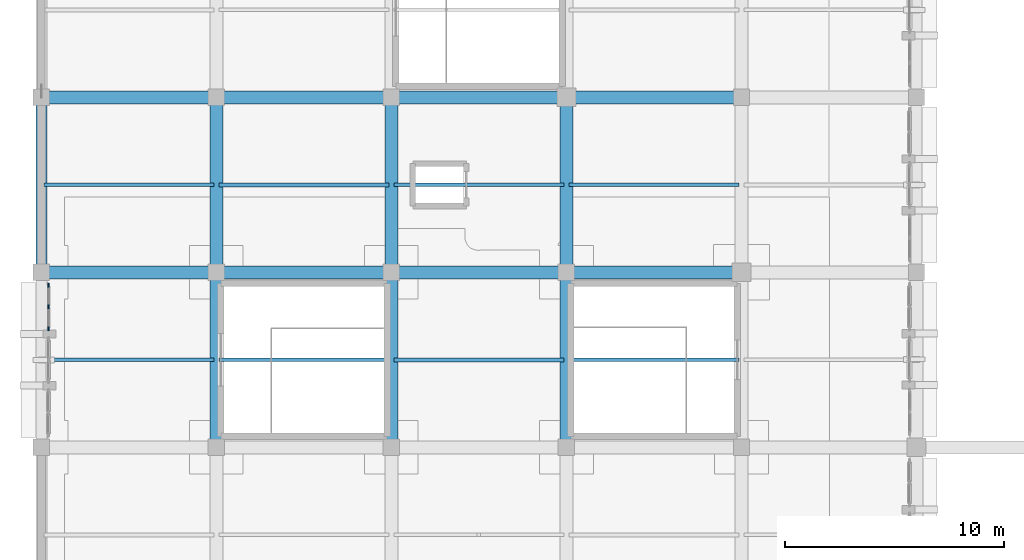
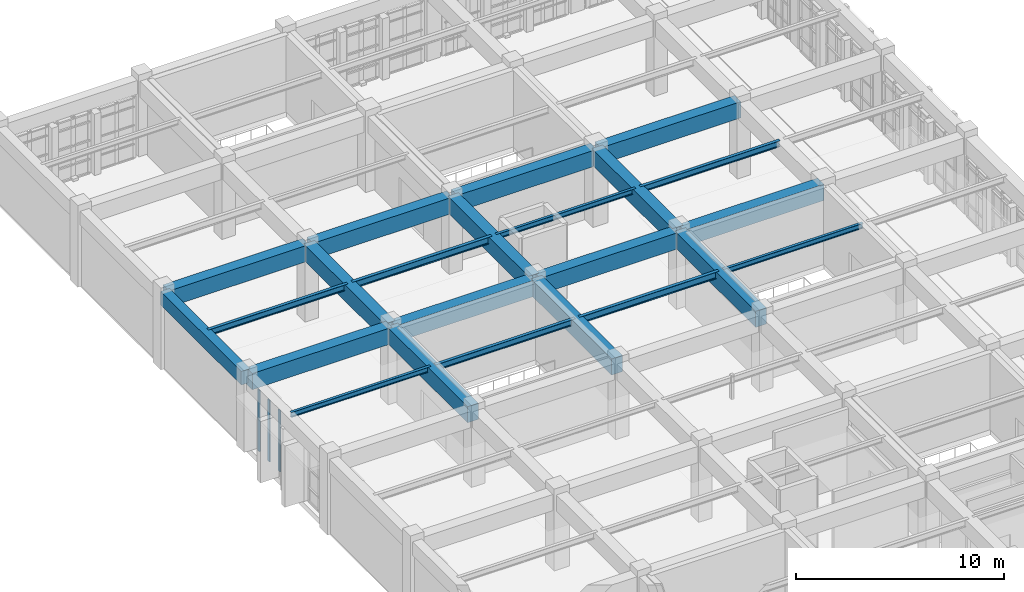
# One storey, part 23 of 155: 23 beams, 3 members, 1 element without a shape of its own.
"""IFC4 building model written with IfcOpenShell, lengths in metres."""

from ifc_helpers import new_model, si_unit, direction, frame, origin, origin_2d, place, context, subcontext, project, spatial, rectangle, i_section, extrude, material, layer, layer_set, material_profile, profile_set, type_object, element, aggregate, save


model = new_model("IFC4")

# Units and contexts
model_context = context("Model", 3, precision=1e-05, world=origin(), true_north=direction((0.0, 1.0)))
body_context = subcontext(model_context, "Body", "Model", "MODEL_VIEW")
ifc_project = project(units=[si_unit("LENGTHUNIT", "METRE"), si_unit("AREAUNIT", "SQUARE_METRE"), si_unit("VOLUMEUNIT", "CUBIC_METRE"), si_unit("PLANEANGLEUNIT", "RADIAN"), si_unit("MASSUNIT", "GRAM", prefix="KILO")], contexts=[model_context])

# Site, building, storey
site_placement = place(None, origin())
site = spatial("IfcSite", under=ifc_project, at=site_placement, CompositionType="ELEMENT")
building_placement = place(site_placement, origin())
building = spatial("IfcBuilding", under=site, at=building_placement, Name="Tazarka Park Arena", CompositionType="ELEMENT")
storey_placement = place(building_placement, frame((0.0, 0.0, 5.39990234375)))
storey = spatial("IfcBuildingStorey", under=building, at=storey_placement, Name="L01", CompositionType="ELEMENT", Elevation=5.39990234375)

# Beams
ifc_material_1 = material(Name="Concrete C40/50", Category="concrete")
ifc_material_profile_1 = material_profile(ifc_material_1, rectangle(XDim=0.60009765625, YDim=0.949951171875, at=origin_2d()), Name="Concrete C40/50")
ifc_profile_set_1 = profile_set([ifc_material_profile_1], Name="Concrete C40/50")
beam_type_1 = type_object("IfcBeamType", Name="BM-B-03", PredefinedType="BEAM", material=ifc_profile_set_1)
for number, where, z_axis, x_axis, name in (
    (1, (0.1201171875, 88.0, 3.945068359375), (1.0, 0.0, 0.0), (0.0, 1.0, 0.0), "GXM-L01-00-11"),
    (2, (0.1201171875, 96.0, 3.945068359375), (1.0, 0.0, 0.0), (0.0, 1.0, 0.0), "GXM-L01-00-12"),
    (3, (8.0, 80.1201171875, 3.945068359375), (0.0, 1.0, 0.0), (-1.0, 0.0, 0.0), "GYM-L01-01-10"),
    (4, (8.1201171875, 88.0, 3.945068359375), (1.0, 0.0, 0.0), (0.0, 1.0, 0.0), "GXM-L01-01-11"),
    (5, (8.0, 88.1201171875, 3.945068359375), (0.0, 1.0, 0.0), (-1.0, 0.0, 0.0), "GYM-L01-01-11"),
    (6, (8.1201171875, 96.0, 3.945068359375), (1.0, 0.0, 0.0), (0.0, 1.0, 0.0), "GXM-L01-01-12"),
    (7, (16.0, 80.1201171875, 3.945068359375), (0.0, 1.0, 0.0), (-1.0, 0.0, 0.0), "GYM-L01-02-10"),
    (8, (16.1201171875, 88.0, 3.945068359375), (1.0, 0.0, 0.0), (0.0, 1.0, 0.0), "GXM-L01-02-11"),
    (9, (16.0, 88.1201171875, 3.945068359375), (0.0, 1.0, 0.0), (-1.0, 0.0, 0.0), "GYM-L01-02-11"),
    (10, (16.1201171875, 96.0, 3.945068359375), (1.0, 0.0, 0.0), (0.0, 1.0, 0.0), "GXM-L01-02-12"),
    (11, (24.0, 80.1201171875, 3.945068359375), (0.0, 1.0, 0.0), (-1.0, 0.0, 0.0), "GYM-L01-03-10"),
    (12, (24.1201171875, 88.0, 3.945068359375), (1.0, 0.0, 0.0), (0.0, 1.0, 0.0), "GXM-L01-03-11"),
    (13, (24.0, 88.1201171875, 3.945068359375), (0.0, 1.0, 0.0), (-1.0, 0.0, 0.0), "GYM-L01-03-11"),
    (14, (24.1201171875, 96.0, 3.945068359375), (1.0, 0.0, 0.0), (0.0, 1.0, 0.0), "GXM-L01-03-12"),
):
    element("IfcBeam", number, at=place(storey_placement, frame(where, z_axis=z_axis, x_axis=x_axis)), inside=storey, type_object=beam_type_1, Name=name, PredefinedType="BEAM", context=body_context, shape_type="SweptSolid", body=[
        extrude(rectangle(XDim=0.60009765625, YDim=0.949951171875, at=origin_2d()), origin(), (0.0, 0.0, 1.0), 7.759765625),
    ])
ifc_material_2 = material(Name="Steel S355", Category="steel")
ifc_material_profile_2 = material_profile(ifc_material_2, i_section(OverallWidth=0.14990234375, OverallDepth=0.300048828125, WebThickness=0.007080078125, FlangeThickness=0.0107421875, FilletRadius=0.014892578125, at=origin_2d()), Name="Steel S355")
ifc_profile_set_2 = profile_set([ifc_material_profile_2], Name="Steel S355")
beam_type_2 = type_object("IfcBeamType", Name="BM-J-01", PredefinedType="JOIST", material=ifc_profile_set_2)
for number, where, z_axis, x_axis, name in (
    (15, (0.1201171875, 84.0, 4.27001953125), (1.0, 0.0, 0.0), (0.0, 1.0, 0.0), "JST-L01-00-10"),
    (16, (16.1201171875, 92.0, 4.27001953125), (1.0, 0.0, 0.0), (0.0, 1.0, 0.0), "JST-L01-02-11"),
    (17, (24.1201171875, 84.0, 4.27001953125), (1.0, 0.0, 0.0), (0.0, 1.0, 0.0), "JST-L01-03-10"),
):
    element("IfcBeam", number, at=place(storey_placement, frame(where, z_axis=z_axis, x_axis=x_axis)), inside=storey, type_object=beam_type_2, Name=name, PredefinedType="JOIST", context=body_context, shape_type="SweptSolid", body=[
        extrude(i_section(OverallWidth=0.14990234375, OverallDepth=0.300048828125, WebThickness=0.007080078125, FlangeThickness=0.0107421875, FilletRadius=0.014892578125, at=origin_2d()), origin(), (0.0, 0.0, 1.0), 7.759765625),
    ])
ifc_material_3 = material(Name="Steel S355", Category="steel")
ifc_material_profile_3 = material_profile(ifc_material_3, i_section(OverallWidth=0.169921875, OverallDepth=0.360107421875, WebThickness=0.008056640625, FlangeThickness=0.0126953125, FilletRadius=0.01806640625, at=origin_2d()), Name="Steel S355")
ifc_profile_set_3 = profile_set([ifc_material_profile_3], Name="Steel S355")
beam_type_3 = type_object("IfcBeamType", Name="BM-J-02", PredefinedType="JOIST", material=ifc_profile_set_3)
for number, where, z_axis, x_axis, name in (
    (18, (0.1201171875, 92.0, 4.239990234375), (1.0, 0.0, 0.0), (0.0, 1.0, 0.0), "JST-L01-00-11"),
    (19, (8.1201171875, 84.0, 4.239990234375), (1.0, 0.0, 0.0), (0.0, 1.0, 0.0), "JST-L01-01-10"),
    (20, (24.1201171875, 92.0, 4.239990234375), (1.0, 0.0, 0.0), (0.0, 1.0, 0.0), "JST-L01-03-11"),
):
    element("IfcBeam", number, at=place(storey_placement, frame(where, z_axis=z_axis, x_axis=x_axis)), inside=storey, type_object=beam_type_3, Name=name, PredefinedType="JOIST", context=body_context, shape_type="SweptSolid", body=[
        extrude(i_section(OverallWidth=0.169921875, OverallDepth=0.360107421875, WebThickness=0.008056640625, FlangeThickness=0.0126953125, FilletRadius=0.01806640625, at=origin_2d()), origin(), (0.0, 0.0, 1.0), 7.759765625),
    ])
ifc_material_4 = material(Name="Steel S355", Category="steel")
ifc_material_profile_4 = material_profile(ifc_material_4, i_section(OverallWidth=0.179931640625, OverallDepth=0.39990234375, WebThickness=0.008544921875, FlangeThickness=0.013427734375, FilletRadius=0.02099609375, at=origin_2d()), Name="Steel S355")
ifc_profile_set_4 = profile_set([ifc_material_profile_4], Name="Steel S355")
beam_type_4 = type_object("IfcBeamType", Name="BM-J-03", PredefinedType="JOIST", material=ifc_profile_set_4)
for number, where, z_axis, x_axis, name in (
    (21, (8.1201171875, 92.0, 4.22021484375), (1.0, 0.0, 0.0), (0.0, 1.0, 0.0), "JST-L01-01-11"),
    (22, (16.1201171875, 84.0, 4.22021484375), (1.0, 0.0, 0.0), (0.0, 1.0, 0.0), "JST-L01-02-10"),
):
    element("IfcBeam", number, at=place(storey_placement, frame(where, z_axis=z_axis, x_axis=x_axis)), inside=storey, type_object=beam_type_4, Name=name, PredefinedType="JOIST", context=body_context, shape_type="SweptSolid", body=[
        extrude(i_section(OverallWidth=0.179931640625, OverallDepth=0.39990234375, WebThickness=0.008544921875, FlangeThickness=0.013427734375, FilletRadius=0.02099609375, at=origin_2d()), origin(), (0.0, 0.0, 1.0), 7.759765625),
    ])
ifc_material_5 = material(Name="Concrete C40/50", Category="concrete")
ifc_material_profile_5 = material_profile(ifc_material_5, rectangle(XDim=0.5, YDim=0.800048828125, at=origin_2d()), Name="Concrete C40/50")
ifc_profile_set_5 = profile_set([ifc_material_profile_5], Name="Concrete C40/50")
beam_type_5 = type_object("IfcBeamType", Name="BM-SP-01", PredefinedType="SPANDREL", material=ifc_profile_set_5)
beam_placement = place(storey_placement, frame((0.0, 88.1201171875, 4.02001953125), z_axis=(0.0, 1.0, 0.0), x_axis=(-1.0, 0.0, 0.0)))
element("IfcBeam", 23, at=beam_placement, inside=storey, type_object=beam_type_5, Name="GYM-L01-00-11", PredefinedType="SPANDREL", context=body_context, shape_type="SweptSolid", body=[
    extrude(rectangle(XDim=0.5, YDim=0.800048828125, at=origin_2d()), origin(), (0.0, 0.0, 1.0), 7.759765625),
])

# Curtain wall, members
ifc_material_6 = material(Name="Aluminium and low-e glass", Category="aluminium")
ifc_layer = layer(ifc_material_6, 0.179931640625, Name="Aluminium and low-e glass")
ifc_layer_set = layer_set([ifc_layer], Name="Aluminium and low-e glass")
curtain_wall_type = type_object("IfcCurtainWallType", Name="CW-18", PredefinedType="NOTDEFINED", material=ifc_layer_set)
curtain_wall_placement = place(storey_placement, origin())
curtain_wall = element("IfcCurtainWall", 24, at=curtain_wall_placement, inside=storey, type_object=curtain_wall_type, Name="Curtain Wall CWA-L01-138", PredefinedType="NOTDEFINED")
ifc_material_7 = material(Name="Aluminium 6060-T66", Category="aluminium")
ifc_material_profile_6 = material_profile(ifc_material_7, rectangle(XDim=0.06494140625, YDim=0.179931640625, at=origin_2d()), Name="Aluminium 6060-T66")
ifc_profile_set_6 = profile_set([ifc_material_profile_6], Name="Aluminium 6060-T66")
member_type = type_object("IfcMemberType", Name="CWM-01", PredefinedType="MULLION", material=ifc_profile_set_6)
member_1_placement = place(storey_placement, frame((0.320068359375, 85.42431640625, 0.0), z_axis=(0.0, 0.0, 1.0), x_axis=(-1.0, 0.0, 0.0)))
member_1 = element("IfcMember", 25, at=member_1_placement, type_object=member_type, Name="CW-18 mullion 1", PredefinedType="MULLION", context=body_context, shape_type="SweptSolid", body=[
    extrude(rectangle(XDim=0.06494140625, YDim=0.179931640625, at=origin_2d()), origin(), (0.0, 0.0, 1.0), 3.60009765625),
])
member_2_placement = place(storey_placement, frame((0.320068359375, 86.41845703125, 0.0), z_axis=(0.0, 0.0, 1.0), x_axis=(-1.0, 0.0, 0.0)))
member_2 = element("IfcMember", 26, at=member_2_placement, type_object=member_type, Name="CW-18 mullion 2", PredefinedType="MULLION", context=body_context, shape_type="SweptSolid", body=[
    extrude(rectangle(XDim=0.06494140625, YDim=0.179931640625, at=origin_2d()), origin(), (0.0, 0.0, 1.0), 3.60009765625),
])
member_3_placement = place(storey_placement, frame((0.320068359375, 87.41259765625, 0.0), z_axis=(0.0, 0.0, 1.0), x_axis=(-1.0, 0.0, 0.0)))
member_3 = element("IfcMember", 27, at=member_3_placement, type_object=member_type, Name="CW-18 mullion 3", PredefinedType="MULLION", context=body_context, shape_type="SweptSolid", body=[
    extrude(rectangle(XDim=0.06494140625, YDim=0.179931640625, at=origin_2d()), origin(), (0.0, 0.0, 1.0), 3.60009765625),
])
aggregate(curtain_wall, [member_1, member_2, member_3])

save(model, "model.ifc")
